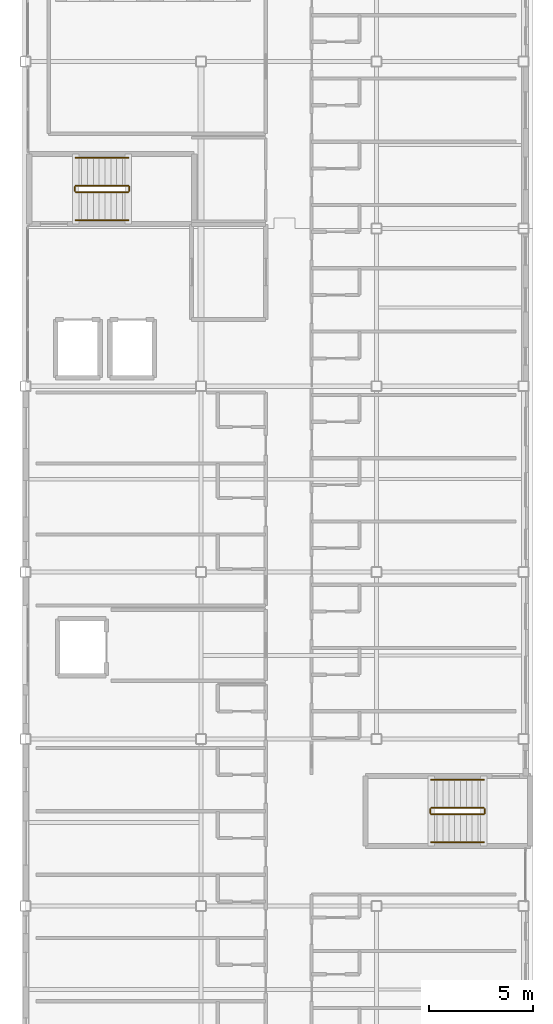
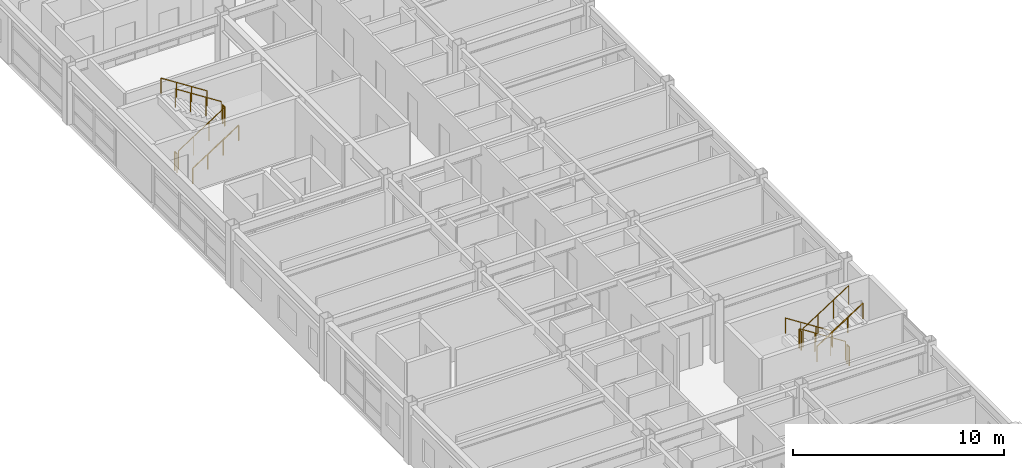
# One storey, part 32 of 33: 12 railings.
"""IFC4 building model written with IfcOpenShell, lengths in metres."""

from ifc_helpers import new_model, si_unit, direction, frame, origin, origin_2d, place, context, subcontext, project, spatial, circle, extrude, material, type_object, element, save


model = new_model("IFC4")

# Units and contexts
model_context = context("Model", 3, precision=1e-05, world=origin(), true_north=direction((0.0, 1.0)))
body_context = subcontext(model_context, "Body", "Model", "MODEL_VIEW")
ifc_project = project(units=[si_unit("LENGTHUNIT", "METRE"), si_unit("AREAUNIT", "SQUARE_METRE"), si_unit("VOLUMEUNIT", "CUBIC_METRE"), si_unit("PLANEANGLEUNIT", "RADIAN"), si_unit("MASSUNIT", "GRAM", prefix="KILO")], contexts=[model_context])

# Site, building, storey
site_placement = place(None, origin())
site = spatial("IfcSite", under=ifc_project, at=site_placement, CompositionType="ELEMENT")
building_placement = place(site_placement, origin())
building = spatial("IfcBuilding", under=site, at=building_placement, Name="Kazehara Bluff Congress Hotel", CompositionType="ELEMENT")
storey_placement = place(building_placement, frame((0.0, 0.0, 39.0)))
storey = spatial("IfcBuildingStorey", under=building, at=storey_placement, Name="L09", CompositionType="ELEMENT", Elevation=39.0)

# Railings
ifc_material_1 = material(Name="Brushed stainless steel", Category="steel")
railing_type_1 = type_object("IfcRailingType", Name="TP-GRD-INT", PredefinedType="GUARDRAIL", material=ifc_material_1)
railing_1_placement = place(storey_placement, frame((165.64990234375, 20.699951171875, 0.179931640625)))
element("IfcRailing", 1, at=railing_1_placement, inside=storey, type_object=railing_type_1, Name="L09 ST-10 stair guard 1", PredefinedType="GUARDRAIL", context=body_context, shape_type="SweptSolid", body=[
    extrude(circle(Radius=0.02392578125, at=origin_2d()), frame((0.0, 0.0, 1.076171875), z_axis=(-0.841162588446, 0.0, 0.540782303519), x_axis=(0.0, -1.0, 0.0)), (0.0, 0.0, 1.0), 2.995849609375),
    extrude(circle(Radius=0.02099609375, at=origin_2d()), origin(), (0.0, 0.0, 1.0), 1.052001953125),
    extrude(circle(Radius=0.02099609375, at=origin_2d()), frame((-0.840087890625, 0.0, 0.5400390625)), (0.0, 0.0, 1.0), 1.052001953125),
    extrude(circle(Radius=0.02099609375, at=origin_2d()), frame((-1.679931640625, 0.0, 1.080078125)), (0.0, 0.0, 1.0), 1.052001953125),
    extrude(circle(Radius=0.02099609375, at=origin_2d()), frame((-2.52001953125, 0.0, 1.6201171875)), (0.0, 0.0, 1.0), 1.052001953125),
])
railing_2_placement = place(storey_placement, frame((163.080078125, 20.64990234375, 1.800048828125)))
element("IfcRailing", 2, at=railing_2_placement, inside=storey, type_object=railing_type_1, Name="L09 ST-10 stair guard 2", PredefinedType="GUARDRAIL", context=body_context, shape_type="SweptSolid", body=[
    extrude(circle(Radius=0.02392578125, at=origin_2d()), frame((0.0, 0.0, 1.076171875), z_axis=(0.0, -1.0, 0.0), x_axis=(1.0, 0.0, 0.0)), (0.0, 0.0, 1.0), 0.199951171875),
    extrude(circle(Radius=0.02099609375, at=origin_2d()), origin(), (0.0, 0.0, 1.0), 1.052001953125),
    extrude(circle(Radius=0.02099609375, at=origin_2d()), frame((0.0, -0.199951171875, 0.0)), (0.0, 0.0, 1.0), 1.052001953125),
])
railing_3_placement = place(storey_placement, frame((163.1298828125, 20.39990234375, 1.97998046875)))
element("IfcRailing", 3, at=railing_3_placement, inside=storey, type_object=railing_type_1, Name="L09 ST-10 stair guard 3", PredefinedType="GUARDRAIL", context=body_context, shape_type="SweptSolid", body=[
    extrude(circle(Radius=0.02392578125, at=origin_2d()), frame((0.0, 0.0, 1.076171875), z_axis=(0.841162588446, 0.0, 0.540782303519), x_axis=(0.0, 1.0, 0.0)), (0.0, 0.0, 1.0), 2.995849609375),
    extrude(circle(Radius=0.02099609375, at=origin_2d()), origin(), (0.0, 0.0, 1.0), 1.052001953125),
    extrude(circle(Radius=0.02099609375, at=origin_2d()), frame((0.840087890625, 0.0, 0.5400390625)), (0.0, 0.0, 1.0), 1.052001953125),
    extrude(circle(Radius=0.02099609375, at=origin_2d()), frame((1.679931640625, 0.0, 1.080078125)), (0.0, 0.0, 1.0), 1.052001953125),
    extrude(circle(Radius=0.02099609375, at=origin_2d()), frame((2.52001953125, 0.0, 1.6201171875)), (0.0, 0.0, 1.0), 1.052001953125),
])
railing_4_placement = place(storey_placement, frame((165.699951171875, 20.64990234375, 0.0)))
element("IfcRailing", 4, at=railing_4_placement, inside=storey, type_object=railing_type_1, Name="L09 ST-10 stair guard 4", PredefinedType="GUARDRAIL", context=body_context, shape_type="SweptSolid", body=[
    extrude(circle(Radius=0.02392578125, at=origin_2d()), frame((0.0, 0.0, 1.076171875), z_axis=(0.0, -1.0, 0.0), x_axis=(1.0, 0.0, 0.0)), (0.0, 0.0, 1.0), 0.199951171875),
    extrude(circle(Radius=0.02099609375, at=origin_2d()), origin(), (0.0, 0.0, 1.0), 1.052001953125),
    extrude(circle(Radius=0.02099609375, at=origin_2d()), frame((0.0, -0.199951171875, 0.0)), (0.0, 0.0, 1.0), 1.052001953125),
])
railing_5_placement = place(storey_placement, frame((146.10009765625, 50.199951171875, 0.179931640625)))
element("IfcRailing", 5, at=railing_5_placement, inside=storey, type_object=railing_type_1, Name="L09 ST-11 stair guard 1", PredefinedType="GUARDRAIL", context=body_context, shape_type="SweptSolid", body=[
    extrude(circle(Radius=0.02392578125, at=origin_2d()), frame((0.0, 0.0, 1.076171875), z_axis=(0.841162588446, 0.0, 0.540782303519), x_axis=(0.0, 1.0, 0.0)), (0.0, 0.0, 1.0), 2.995849609375),
    extrude(circle(Radius=0.02099609375, at=origin_2d()), origin(), (0.0, 0.0, 1.0), 1.052001953125),
    extrude(circle(Radius=0.02099609375, at=origin_2d()), frame((0.840087890625, 0.0, 0.5400390625)), (0.0, 0.0, 1.0), 1.052001953125),
    extrude(circle(Radius=0.02099609375, at=origin_2d()), frame((1.679931640625, 0.0, 1.080078125)), (0.0, 0.0, 1.0), 1.052001953125),
    extrude(circle(Radius=0.02099609375, at=origin_2d()), frame((2.52001953125, 0.0, 1.6201171875)), (0.0, 0.0, 1.0), 1.052001953125),
])
railing_6_placement = place(storey_placement, frame((148.669921875, 50.25, 1.800048828125)))
element("IfcRailing", 6, at=railing_6_placement, inside=storey, type_object=railing_type_1, Name="L09 ST-11 stair guard 2", PredefinedType="GUARDRAIL", context=body_context, shape_type="SweptSolid", body=[
    extrude(circle(Radius=0.02392578125, at=origin_2d()), frame((0.0, 0.0, 1.076171875), z_axis=(0.0, 1.0, 0.0), x_axis=(-1.0, 0.0, 0.0)), (0.0, 0.0, 1.0), 0.199951171875),
    extrude(circle(Radius=0.02099609375, at=origin_2d()), origin(), (0.0, 0.0, 1.0), 1.052001953125),
    extrude(circle(Radius=0.02099609375, at=origin_2d()), frame((0.0, 0.199951171875, 0.0)), (0.0, 0.0, 1.0), 1.052001953125),
])
railing_7_placement = place(storey_placement, frame((148.6201171875, 50.5, 1.97998046875)))
element("IfcRailing", 7, at=railing_7_placement, inside=storey, type_object=railing_type_1, Name="L09 ST-11 stair guard 3", PredefinedType="GUARDRAIL", context=body_context, shape_type="SweptSolid", body=[
    extrude(circle(Radius=0.02392578125, at=origin_2d()), frame((0.0, 0.0, 1.076171875), z_axis=(-0.841162588446, 0.0, 0.540782303519), x_axis=(0.0, -1.0, 0.0)), (0.0, 0.0, 1.0), 2.995849609375),
    extrude(circle(Radius=0.02099609375, at=origin_2d()), origin(), (0.0, 0.0, 1.0), 1.052001953125),
    extrude(circle(Radius=0.02099609375, at=origin_2d()), frame((-0.840087890625, 0.0, 0.5400390625)), (0.0, 0.0, 1.0), 1.052001953125),
    extrude(circle(Radius=0.02099609375, at=origin_2d()), frame((-1.679931640625, 0.0, 1.080078125)), (0.0, 0.0, 1.0), 1.052001953125),
    extrude(circle(Radius=0.02099609375, at=origin_2d()), frame((-2.52001953125, 0.0, 1.6201171875)), (0.0, 0.0, 1.0), 1.052001953125),
])
railing_8_placement = place(storey_placement, frame((146.050048828125, 50.25, 0.0)))
element("IfcRailing", 8, at=railing_8_placement, inside=storey, type_object=railing_type_1, Name="L09 ST-11 stair guard 4", PredefinedType="GUARDRAIL", context=body_context, shape_type="SweptSolid", body=[
    extrude(circle(Radius=0.02392578125, at=origin_2d()), frame((0.0, 0.0, 1.076171875), z_axis=(0.0, 1.0, 0.0), x_axis=(-1.0, 0.0, 0.0)), (0.0, 0.0, 1.0), 0.199951171875),
    extrude(circle(Radius=0.02099609375, at=origin_2d()), origin(), (0.0, 0.0, 1.0), 1.052001953125),
    extrude(circle(Radius=0.02099609375, at=origin_2d()), frame((0.0, 0.199951171875, 0.0)), (0.0, 0.0, 1.0), 1.052001953125),
])
ifc_material_2 = material(Name="Brushed stainless steel", Category="steel")
railing_type_2 = type_object("IfcRailingType", Name="TP-HR-INT", PredefinedType="HANDRAIL", material=ifc_material_2)
railing_9_placement = place(storey_placement, frame((165.64990234375, 22.050048828125, 0.179931640625)))
element("IfcRailing", 9, at=railing_9_placement, inside=storey, type_object=railing_type_2, Name="L09 ST-10 stair handrail 1", PredefinedType="HANDRAIL", context=body_context, shape_type="SweptSolid", body=[
    extrude(circle(Radius=0.02392578125, at=origin_2d()), frame((0.0, 0.0, 0.8759765625), z_axis=(-0.841162588446, 0.0, 0.540782303519), x_axis=(0.0, -1.0, 0.0)), (0.0, 0.0, 1.0), 2.995849609375),
    extrude(circle(Radius=0.02099609375, at=origin_2d()), origin(), (0.0, 0.0, 1.0), 0.851806640625),
    extrude(circle(Radius=0.02099609375, at=origin_2d()), frame((-0.840087890625, 0.0, 0.5400390625)), (0.0, 0.0, 1.0), 0.851806640625),
    extrude(circle(Radius=0.02099609375, at=origin_2d()), frame((-1.679931640625, 0.0, 1.080078125)), (0.0, 0.0, 1.0), 0.851806640625),
    extrude(circle(Radius=0.02099609375, at=origin_2d()), frame((-2.52001953125, 0.0, 1.6201171875)), (0.0, 0.0, 1.0), 0.851806640625),
])
for number, where, name in (
    (10, (163.1298828125, 19.050048828125, 1.97998046875), "L09 ST-10 stair handrail 2"),
    (11, (146.10009765625, 48.85009765625, 0.179931640625), "L09 ST-11 stair handrail 1"),
):
    element("IfcRailing", number, at=place(storey_placement, frame(where)), inside=storey, type_object=railing_type_2, Name=name, PredefinedType="HANDRAIL", context=body_context, shape_type="SweptSolid", body=[
        extrude(circle(Radius=0.02392578125, at=origin_2d()), frame((0.0, 0.0, 0.8759765625), z_axis=(0.841162588446, 0.0, 0.540782303519), x_axis=(0.0, 1.0, 0.0)), (0.0, 0.0, 1.0), 2.995849609375),
        extrude(circle(Radius=0.02099609375, at=origin_2d()), origin(), (0.0, 0.0, 1.0), 0.851806640625),
        extrude(circle(Radius=0.02099609375, at=origin_2d()), frame((0.840087890625, 0.0, 0.5400390625)), (0.0, 0.0, 1.0), 0.851806640625),
        extrude(circle(Radius=0.02099609375, at=origin_2d()), frame((1.679931640625, 0.0, 1.080078125)), (0.0, 0.0, 1.0), 0.851806640625),
        extrude(circle(Radius=0.02099609375, at=origin_2d()), frame((2.52001953125, 0.0, 1.6201171875)), (0.0, 0.0, 1.0), 0.851806640625),
    ])
railing_10_placement = place(storey_placement, frame((148.6201171875, 51.85009765625, 1.97998046875)))
element("IfcRailing", 12, at=railing_10_placement, inside=storey, type_object=railing_type_2, Name="L09 ST-11 stair handrail 2", PredefinedType="HANDRAIL", context=body_context, shape_type="SweptSolid", body=[
    extrude(circle(Radius=0.02392578125, at=origin_2d()), frame((0.0, 0.0, 0.8759765625), z_axis=(-0.841162588446, 0.0, 0.540782303519), x_axis=(0.0, -1.0, 0.0)), (0.0, 0.0, 1.0), 2.995849609375),
    extrude(circle(Radius=0.02099609375, at=origin_2d()), origin(), (0.0, 0.0, 1.0), 0.851806640625),
    extrude(circle(Radius=0.02099609375, at=origin_2d()), frame((-0.840087890625, 0.0, 0.5400390625)), (0.0, 0.0, 1.0), 0.851806640625),
    extrude(circle(Radius=0.02099609375, at=origin_2d()), frame((-1.679931640625, 0.0, 1.080078125)), (0.0, 0.0, 1.0), 0.851806640625),
    extrude(circle(Radius=0.02099609375, at=origin_2d()), frame((-2.52001953125, 0.0, 1.6201171875)), (0.0, 0.0, 1.0), 0.851806640625),
])

save(model, "model.ifc")
